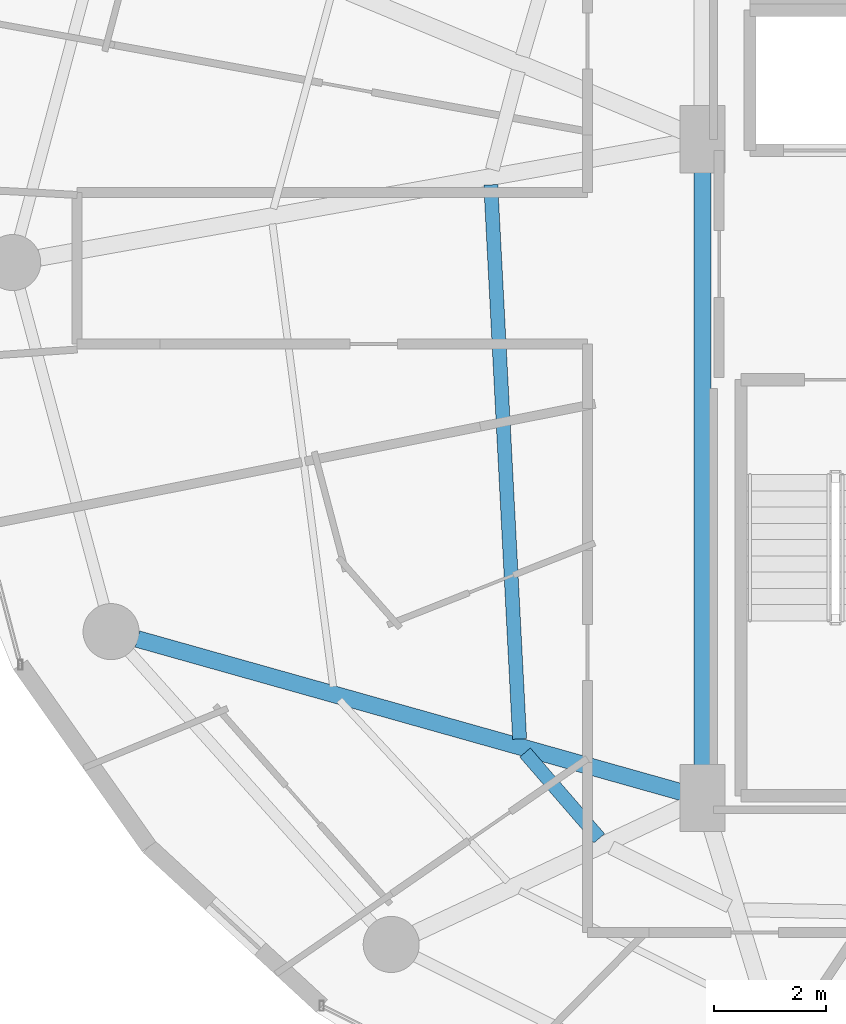
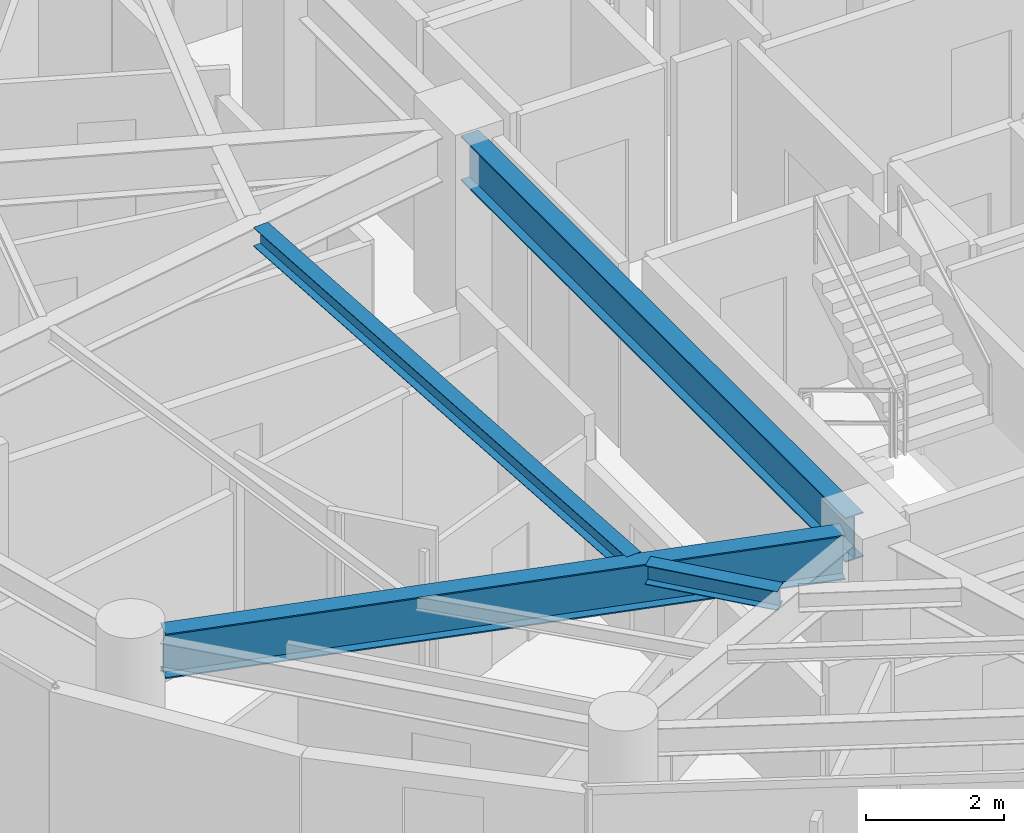
# One storey, part 4 of 30: 4 beams.
"""IFC4 building model written with IfcOpenShell, lengths in metres."""

from ifc_helpers import new_model, si_unit, direction, frame, origin, origin_2d, place, context, subcontext, project, spatial, i_section, extrude, material, material_profile, profile_set, type_object, element, save


model = new_model("IFC4")

# Units and contexts
model_context = context("Model", 3, precision=1e-05, world=origin(), true_north=direction((0.0, 1.0)))
body_context = subcontext(model_context, "Body", "Model", "MODEL_VIEW")
ifc_project = project(units=[si_unit("LENGTHUNIT", "METRE"), si_unit("AREAUNIT", "SQUARE_METRE"), si_unit("VOLUMEUNIT", "CUBIC_METRE"), si_unit("PLANEANGLEUNIT", "RADIAN"), si_unit("MASSUNIT", "GRAM", prefix="KILO")], contexts=[model_context])

# Site, building, storey
site_placement = place(None, origin())
site = spatial("IfcSite", under=ifc_project, at=site_placement, CompositionType="ELEMENT")
building_placement = place(site_placement, origin())
building = spatial("IfcBuilding", under=site, at=building_placement, Name="Vorneva Point Tower", CompositionType="ELEMENT")
storey_placement = place(building_placement, frame((0.0, 0.0, 153.60009765625)))
storey = spatial("IfcBuildingStorey", under=building, at=storey_placement, Name="L41", CompositionType="ELEMENT", Elevation=153.60009765625)

# Beams
ifc_material = material(Name="Steel S355", Category="steel")
ifc_material_profile_1 = material_profile(ifc_material, i_section(OverallWidth=0.300048828125, OverallDepth=0.7880859375, WebThickness=0.014404296875, FlangeThickness=0.02197265625, at=origin_2d()), Name="80Sh1")
ifc_profile_set_1 = profile_set([ifc_material_profile_1], Name="Steel S355")
beam_type_1 = type_object("IfcBeamType", Name="BM-GRD-80Sh1", PredefinedType="USERDEFINED", material=ifc_profile_set_1)
beam_1_placement = place(storey_placement, frame((17.17431640625, 19.28564453125, 2.845947265625), z_axis=(0.96260085362, -0.270923599213, 0.0), x_axis=(0.270923599213, 0.96260085362, 0.0)))
element("IfcBeam", 1, at=beam_1_placement, inside=storey, type_object=beam_type_1, Name="L41 Radial Primary Girder 10", ObjectType="GIRDER", PredefinedType="USERDEFINED", context=body_context, shape_type="SweptSolid", body=[
    extrude(i_section(OverallWidth=0.300048828125, OverallDepth=0.7880859375, WebThickness=0.014404296875, FlangeThickness=0.02197265625, at=origin_2d()), origin(), (0.0, 0.0, 1.0), 10.126953125),
])
beam_2_placement = place(storey_placement, frame((27.25, 16.77001953125, 2.845947265625), z_axis=(0.0, 1.0, 0.0), x_axis=(-1.0, 0.0, 0.0)))
element("IfcBeam", 2, at=beam_2_placement, inside=storey, type_object=beam_type_1, Name="L41 Core Tie Girder CT1", ObjectType="GIRDER", PredefinedType="USERDEFINED", context=body_context, shape_type="SweptSolid", body=[
    extrude(i_section(OverallWidth=0.300048828125, OverallDepth=0.7880859375, WebThickness=0.014404296875, FlangeThickness=0.02197265625, at=origin_2d()), origin(), (0.0, 0.0, 1.0), 11.10986328125),
])
ifc_material_profile_2 = material_profile(ifc_material, i_section(OverallWidth=0.2490234375, OverallDepth=0.333984375, WebThickness=0.008056640625, FlangeThickness=0.010986328125, at=origin_2d()), Name="35Sh1")
ifc_profile_set_2 = profile_set([ifc_material_profile_2], Name="Steel S355")
beam_type_2 = type_object("IfcBeamType", Name="BM-SEC-35Sh1", PredefinedType="BEAM", material=ifc_profile_set_2)
beam_3_placement = place(storey_placement, frame((23.47705078125, 27.385986328125, 3.072998046875), z_axis=(0.051929543019, -0.998650751045, 0.0), x_axis=(0.998650751045, 0.051929543019, 0.0)))
element("IfcBeam", 3, at=beam_3_placement, inside=storey, type_object=beam_type_2, Name="L41 Secondary Floor Beam 2.09", PredefinedType="BEAM", context=body_context, shape_type="SweptSolid", body=[
    extrude(i_section(OverallWidth=0.2490234375, OverallDepth=0.333984375, WebThickness=0.008056640625, FlangeThickness=0.010986328125, at=origin_2d()), origin(), (0.0, 0.0, 1.0), 9.896484375),
])
beam_4_placement = place(storey_placement, frame((24.08837890625, 17.2607421875, 3.072998046875), z_axis=(0.654521417916, -0.756043460053, 0.0), x_axis=(0.756043460053, 0.654521417916, 0.0)))
element("IfcBeam", 4, at=beam_4_placement, inside=storey, type_object=beam_type_2, Name="L41 Secondary Floor Beam 2.10", PredefinedType="BEAM", context=body_context, shape_type="SweptSolid", body=[
    extrude(i_section(OverallWidth=0.2490234375, OverallDepth=0.333984375, WebThickness=0.008056640625, FlangeThickness=0.010986328125, at=origin_2d()), origin(), (0.0, 0.0, 1.0), 2.0224609375),
])

save(model, "model.ifc")
